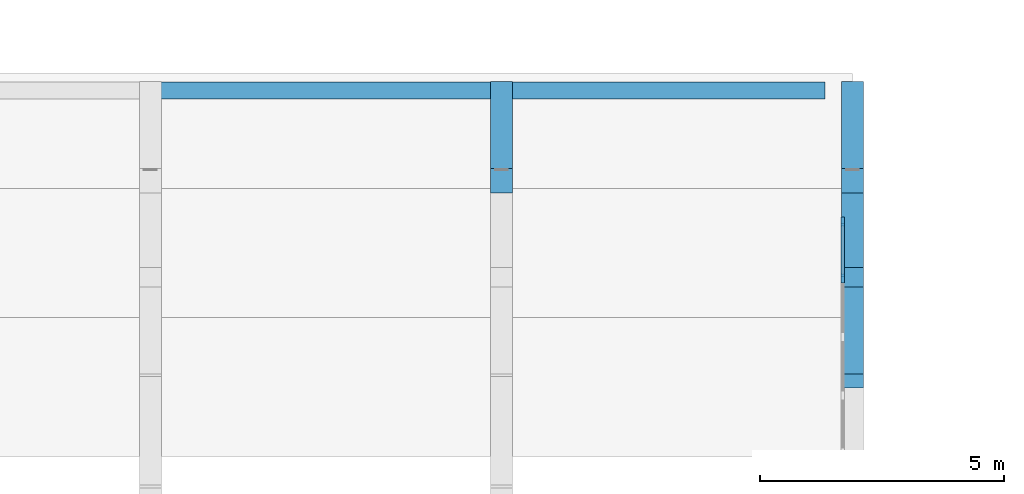
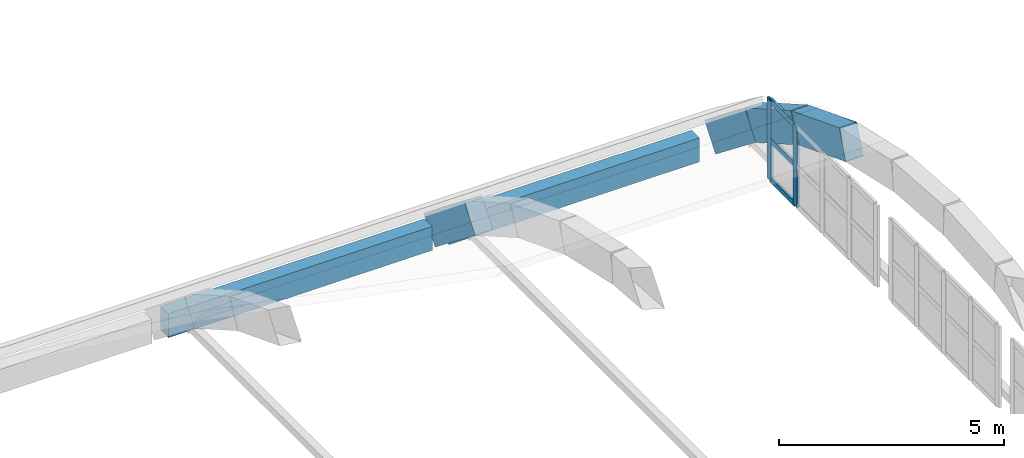
# One storey, part 15 of 73: 6 beams, 5 members, 1 element without a shape of its own.
"""IFC4 building model written with IfcOpenShell, lengths in metres."""

from ifc_helpers import new_model, si_unit, derived_unit, direction, frame, origin, origin_2d, place, context, subcontext, project, spatial, rectangle, extrude, material, layer, layer_set, material_profile, profile_set, type_object, element, aggregate, save


model = new_model("IFC4")

# Units and contexts
model_context = context("Model", 3, precision=1e-05, world=origin(), true_north=direction((0.0, 1.0)))
body_context = subcontext(model_context, "Body", "Model", "MODEL_VIEW")
ifc_project = project(units=[si_unit("LENGTHUNIT", "METRE"), si_unit("AREAUNIT", "SQUARE_METRE"), si_unit("VOLUMEUNIT", "CUBIC_METRE"), si_unit("PLANEANGLEUNIT", "RADIAN"), si_unit("MASSUNIT", "GRAM", prefix="KILO"), derived_unit("THERMALTRANSMITTANCEUNIT", [(si_unit("MASSUNIT", "GRAM", prefix="KILO"), 1), (si_unit("TIMEUNIT", "SECOND"), -3), (si_unit("THERMODYNAMICTEMPERATUREUNIT", "KELVIN"), -1)])], contexts=[model_context])

# Site, building, storey
site_placement = place(None, origin())
site = spatial("IfcSite", under=ifc_project, at=site_placement, CompositionType="ELEMENT")
building_placement = place(site_placement, origin())
building = spatial("IfcBuilding", under=site, at=building_placement, Name="Ochrekiln Boulevard Commons", CompositionType="ELEMENT")
storey_placement = place(building_placement, frame((0.0, 0.0, 8.574951171875)))
storey = spatial("IfcBuildingStorey", under=building, at=storey_placement, Name="L02", CompositionType="ELEMENT", Elevation=8.574951171875)

# Beams
ifc_material_1 = material(Name="Concrete C40/50", Category="concrete")
ifc_material_profile_1 = material_profile(ifc_material_1, rectangle(XDim=0.449951171875, YDim=0.800048828125, at=origin_2d()), Name="RC-RIB-450x800")
ifc_profile_set_1 = profile_set([ifc_material_profile_1], Name="Concrete C40/50")
beam_type_1 = type_object("IfcBeamType", Name="BM-RIB-450x800", PredefinedType="BEAM", material=ifc_profile_set_1)
beam_1_placement = place(storey_placement, frame((100.800048828125, 55.40380859375, 0.969482421875), z_axis=(0.0, 0.785288184657, -0.61913041198), x_axis=(-1.0, 0.0, 0.0)))
element("IfcBeam", 1, at=beam_1_placement, inside=storey, type_object=beam_type_1, Name="Community Hall Barrel Vault Arch Rib 7 Chord 10", PredefinedType="BEAM", context=body_context, shape_type="SweptSolid", body=[
    extrude(rectangle(XDim=0.449951171875, YDim=0.800048828125, at=origin_2d()), origin(), (0.0, 0.0, 1.0), 2.280517578125),
])
beam_2_placement = place(storey_placement, frame((108.0, 51.298583984375, 2.927734375), z_axis=(0.0, 0.93197854933, -0.362513425391), x_axis=(-1.0, 0.0, 0.0)))
element("IfcBeam", 2, at=beam_2_placement, inside=storey, type_object=beam_type_1, Name="Community Hall Barrel Vault Arch Rib 8 Chord 8", PredefinedType="BEAM", context=body_context, shape_type="SweptSolid", body=[
    extrude(rectangle(XDim=0.449951171875, YDim=0.800048828125, at=origin_2d()), origin(), (0.0, 0.0, 1.0), 2.2802734375),
])
for number, where, z_axis, x_axis, name in (
    (3, (108.0, 53.423828125, 2.10107421875), (0.0, 0.868210200433, -0.496196581875), (-1.0, 0.0, 0.0), "Community Hall Barrel Vault Arch Rib 8 Chord 9"),
    (4, (108.0, 55.40380859375, 0.969482421875), (0.0, 0.785288184657, -0.61913041198), (-1.0, 0.0, 0.0), "Community Hall Barrel Vault Arch Rib 8 Chord 10"),
):
    element("IfcBeam", number, at=place(storey_placement, frame(where, z_axis=z_axis, x_axis=x_axis)), inside=storey, type_object=beam_type_1, Name=name, PredefinedType="BEAM", context=body_context, shape_type="SweptSolid", body=[
        extrude(rectangle(XDim=0.449951171875, YDim=0.800048828125, at=origin_2d()), origin(), (0.0, 0.0, 1.0), 2.280517578125),
    ])

# Curtain wall, members
ifc_material_2 = material(Name="Bronze-anodized extruded aluminium 6063-T6", Category="aluminium")
ifc_layer = layer(ifc_material_2, 0.196044921875)
ifc_layer_set = layer_set([ifc_layer], Name="Bronze-anodized extruded aluminium 6063-T6")
curtain_wall_type = type_object("IfcCurtainWallType", Name="CW-HALL", PredefinedType="USERDEFINED", material=ifc_layer_set)
curtain_wall_placement = place(storey_placement, origin())
curtain_wall = element("IfcCurtainWall", 5, at=curtain_wall_placement, inside=storey, type_object=curtain_wall_type, Name="Community Hall Vault Tympanum Curtain Wall E-3", ObjectType="GLAZED CURTAIN WALL", PredefinedType="USERDEFINED")
ifc_material_profile_2 = material_profile(ifc_material_2, rectangle(XDim=0.06494140625, YDim=0.179931640625, at=origin_2d()), Name="ALU-MUL-65x180")
ifc_profile_set_2 = profile_set([ifc_material_profile_2], Name="Bronze-anodized extruded aluminium 6063-T6")
member_type_1 = type_object("IfcMemberType", Name="CWM-65x180", PredefinedType="MULLION", material=ifc_profile_set_2)
member_1_placement = place(storey_placement, frame((107.800048828125, 53.39990234375, 0.0), z_axis=(0.0, 0.0, 1.0), x_axis=(-1.0, 0.0, 0.0)))
member_1 = element("IfcMember", 6, at=member_1_placement, type_object=member_type_1, Name="CW-03 mullion 4", PredefinedType="MULLION", context=body_context, shape_type="SweptSolid", body=[
    extrude(rectangle(XDim=0.06494140625, YDim=0.179931640625, at=origin_2d()), origin(), (0.0, 0.0, 1.0), 2.199951171875),
])
member_2_placement = place(storey_placement, frame((107.800048828125, 54.5673828125, 0.0), z_axis=(0.0, 0.0, 1.0), x_axis=(-1.0, 0.0, 0.0)))
member_2 = element("IfcMember", 7, at=member_2_placement, type_object=member_type_1, Name="CW-03 mullion 5", PredefinedType="MULLION", context=body_context, shape_type="SweptSolid", body=[
    extrude(rectangle(XDim=0.06494140625, YDim=0.179931640625, at=origin_2d()), origin(), (0.0, 0.0, 1.0), 2.199951171875),
])
ifc_material_profile_3 = material_profile(ifc_material_2, rectangle(XDim=0.06494140625, YDim=0.139892578125, at=origin_2d()), Name="ALU-TRN-65x140")
ifc_profile_set_3 = profile_set([ifc_material_profile_3], Name="Bronze-anodized extruded aluminium 6063-T6")
member_type_2 = type_object("IfcMemberType", Name="CWT-65x140", PredefinedType="USERDEFINED", material=ifc_profile_set_3)
member_3_placement = place(storey_placement, frame((107.800048828125, 53.4326171875, 0.032470703125), z_axis=(0.0, 1.0, 0.0), x_axis=(-1.0, 0.0, 0.0)))
member_3 = element("IfcMember", 8, at=member_3_placement, type_object=member_type_2, Name="CW-03 transom 4.1", ObjectType="TRANSOM", PredefinedType="USERDEFINED", context=body_context, shape_type="SweptSolid", body=[
    extrude(rectangle(XDim=0.06494140625, YDim=0.139892578125, at=origin_2d()), origin(), (0.0, 0.0, 1.0), 1.102294921875),
])
member_4_placement = place(storey_placement, frame((107.800048828125, 53.4326171875, 1.10009765625), z_axis=(0.0, 1.0, 0.0), x_axis=(-1.0, 0.0, 0.0)))
member_4 = element("IfcMember", 9, at=member_4_placement, type_object=member_type_2, Name="CW-03 transom 4.2", ObjectType="TRANSOM", PredefinedType="USERDEFINED", context=body_context, shape_type="SweptSolid", body=[
    extrude(rectangle(XDim=0.06494140625, YDim=0.139892578125, at=origin_2d()), origin(), (0.0, 0.0, 1.0), 1.102294921875),
])
member_5_placement = place(storey_placement, frame((107.800048828125, 53.4326171875, 2.16748046875), z_axis=(0.0, 1.0, 0.0), x_axis=(-1.0, 0.0, 0.0)))
member_5 = element("IfcMember", 10, at=member_5_placement, type_object=member_type_2, Name="CW-03 transom 4.3", ObjectType="TRANSOM", PredefinedType="USERDEFINED", context=body_context, shape_type="SweptSolid", body=[
    extrude(rectangle(XDim=0.06494140625, YDim=0.139892578125, at=origin_2d()), origin(), (0.0, 0.0, 1.0), 1.102294921875),
])
aggregate(curtain_wall, [member_1, member_2, member_3, member_4, member_5])

# Beams
ifc_material_profile_4 = material_profile(ifc_material_1, rectangle(XDim=0.35009765625, YDim=0.64990234375, at=origin_2d()), Name="RC-SPN-350x650")
ifc_profile_set_4 = profile_set([ifc_material_profile_4], Name="Concrete C40/50")
beam_type_2 = type_object("IfcBeamType", Name="SPN-RC-350x650", PredefinedType="SPANDREL", material=ifc_profile_set_4)
beam_3_placement = place(storey_placement, frame((93.81005859375, 57.25, -0.594970703125), z_axis=(1.0, 0.0, 0.0), x_axis=(0.0, 1.0, 0.0)))
element("IfcBeam", 11, at=beam_3_placement, inside=storey, type_object=beam_type_2, Name="Community Hall L02 Beam SP-3565 X13", PredefinedType="SPANDREL", context=body_context, shape_type="SweptSolid", body=[
    extrude(rectangle(XDim=0.35009765625, YDim=0.64990234375, at=origin_2d()), origin(), (0.0, 0.0, 1.0), 6.780029296875),
])
beam_4_placement = place(storey_placement, frame((101.010009765625, 57.25, -0.594970703125), z_axis=(1.0, 0.0, 0.0), x_axis=(0.0, 1.0, 0.0)))
element("IfcBeam", 12, at=beam_4_placement, inside=storey, type_object=beam_type_2, Name="Community Hall L02 Beam SP-3565 X14", PredefinedType="SPANDREL", context=body_context, shape_type="SweptSolid", body=[
    extrude(rectangle(XDim=0.35009765625, YDim=0.64990234375, at=origin_2d()), origin(), (0.0, 0.0, 1.0), 6.429931640625),
])

save(model, "model.ifc")
